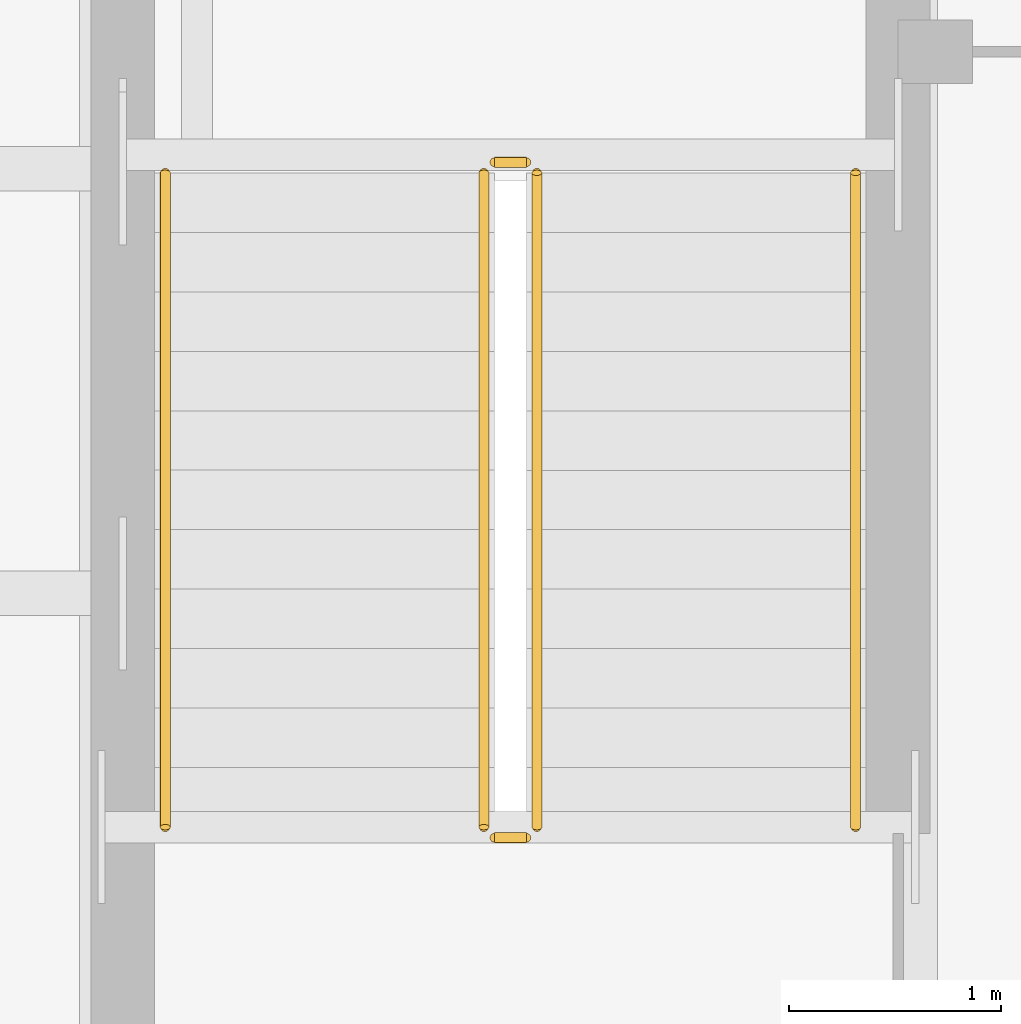
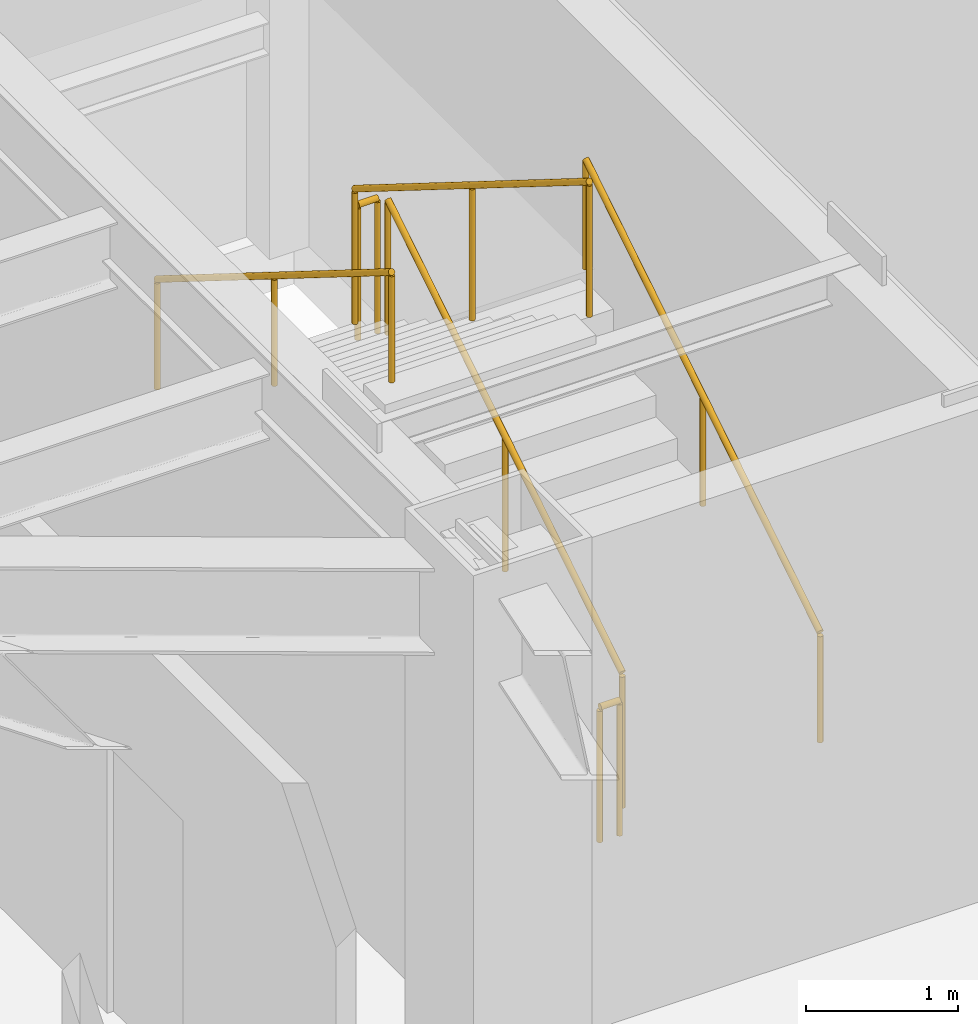
# One storey, part 8 of 11: 6 railings.
"""IFC4 building model written with IfcOpenShell, lengths in metres."""

from ifc_helpers import new_model, si_unit, direction, frame, origin, origin_2d, place, context, subcontext, project, spatial, circle, extrude, material, type_object, element, save


model = new_model("IFC4")

# Units and contexts
model_context = context("Model", 3, precision=1e-05, world=origin(), true_north=direction((0.0, 1.0)))
body_context = subcontext(model_context, "Body", "Model", "MODEL_VIEW")
ifc_project = project(units=[si_unit("LENGTHUNIT", "METRE"), si_unit("AREAUNIT", "SQUARE_METRE"), si_unit("VOLUMEUNIT", "CUBIC_METRE"), si_unit("PLANEANGLEUNIT", "RADIAN"), si_unit("MASSUNIT", "GRAM", prefix="KILO")], contexts=[model_context])

# Site, building, storey
site_placement = place(None, origin())
site = spatial("IfcSite", under=ifc_project, at=site_placement, CompositionType="ELEMENT")
building_placement = place(site_placement, origin())
building = spatial("IfcBuilding", under=site, at=building_placement, Name="Khamvora Tower", CompositionType="ELEMENT")
storey_placement = place(building_placement, frame((0.0, 0.0, 269.449951171875)))
storey = spatial("IfcBuildingStorey", under=building, at=storey_placement, Name="L69", CompositionType="ELEMENT", Elevation=269.449951171875)

# Railings
ifc_material_1 = material(Name="Brushed Stainless Steel 316", Category="steel")
railing_type_1 = type_object("IfcRailingType", Name="RAL-HDR-920", PredefinedType="HANDRAIL", material=ifc_material_1)
railing_1_placement = place(storey_placement, frame((32.449951171875, 20.75, 0.175048828125)))
element("IfcRailing", 1, at=railing_1_placement, inside=storey, type_object=railing_type_1, Name="L69 ST-01 stair handrail 1", PredefinedType="HANDRAIL", context=body_context, shape_type="SweptSolid", body=[
    extrude(circle(Radius=0.02392578125, at=origin_2d()), frame((0.0, 0.0, 0.8759765625), z_axis=(0.0, 0.847998304005, 0.529998940003), x_axis=(-1.0, 0.0, 0.0)), (0.0, 0.0, 1.0), 3.632080078125),
    extrude(circle(Radius=0.02099609375, at=origin_2d()), origin(), (0.0, 0.0, 1.0), 0.851806640625),
    extrude(circle(Radius=0.02099609375, at=origin_2d()), frame((0.0, 1.5400390625, 0.96240234375)), (0.0, 0.0, 1.0), 0.851806640625),
    extrude(circle(Radius=0.02099609375, at=origin_2d()), frame((0.0, 3.080078125, 1.925048828125)), (0.0, 0.0, 1.0), 0.851806640625),
])
railing_2_placement = place(storey_placement, frame((29.199951171875, 23.830078125, 2.275146484375)))
element("IfcRailing", 2, at=railing_2_placement, inside=storey, type_object=railing_type_1, Name="L69 ST-01 stair handrail 2", PredefinedType="HANDRAIL", context=body_context, shape_type="SweptSolid", body=[
    extrude(circle(Radius=0.02392578125, at=origin_2d()), frame((0.0, 0.0, 0.8759765625), z_axis=(0.0, -0.848028513186, 0.529950602248), x_axis=(1.0, 0.0, 0.0)), (0.0, 0.0, 1.0), 3.632080078125),
    extrude(circle(Radius=0.02099609375, at=origin_2d()), origin(), (0.0, 0.0, 1.0), 0.851806640625),
    extrude(circle(Radius=0.02099609375, at=origin_2d()), frame((0.0, -1.5400390625, 0.96240234375)), (0.0, 0.0, 1.0), 0.851806640625),
    extrude(circle(Radius=0.02099609375, at=origin_2d()), frame((0.0, -3.080078125, 1.9248046875)), (0.0, 0.0, 1.0), 0.851806640625),
])
ifc_material_2 = material(Name="Stainless Steel 316", Category="steel")
railing_type_2 = type_object("IfcRailingType", Name="RAL-STG-1100", PredefinedType="GUARDRAIL", material=ifc_material_2)
railing_3_placement = place(storey_placement, frame((30.949951171875, 20.75, 0.175048828125)))
element("IfcRailing", 3, at=railing_3_placement, inside=storey, type_object=railing_type_2, Name="L69 ST-01 stair guard 1", PredefinedType="GUARDRAIL", context=body_context, shape_type="SweptSolid", body=[
    extrude(circle(Radius=0.02392578125, at=origin_2d()), frame((0.0, 0.0, 1.076171875), z_axis=(0.0, 0.847998304005, 0.529998940003), x_axis=(-1.0, 0.0, 0.0)), (0.0, 0.0, 1.0), 3.632080078125),
    extrude(circle(Radius=0.02099609375, at=origin_2d()), origin(), (0.0, 0.0, 1.0), 1.052001953125),
    extrude(circle(Radius=0.02099609375, at=origin_2d()), frame((0.0, 1.5400390625, 0.96240234375)), (0.0, 0.0, 1.0), 1.052001953125),
    extrude(circle(Radius=0.02099609375, at=origin_2d()), frame((0.0, 3.080078125, 1.925048828125)), (0.0, 0.0, 1.0), 1.052001953125),
])
railing_4_placement = place(storey_placement, frame((30.89990234375, 23.8798828125, 2.10009765625)))
element("IfcRailing", 4, at=railing_4_placement, inside=storey, type_object=railing_type_2, Name="L69 ST-01 stair guard 2", PredefinedType="GUARDRAIL", context=body_context, shape_type="SweptSolid", body=[
    extrude(circle(Radius=0.02392578125, at=origin_2d()), frame((0.0, 0.0, 1.076171875), z_axis=(-1.0, 0.0, 0.0), x_axis=(0.0, -1.0, 0.0)), (0.0, 0.0, 1.0), 0.14990234375),
    extrude(circle(Radius=0.02099609375, at=origin_2d()), origin(), (0.0, 0.0, 1.0), 1.052001953125),
    extrude(circle(Radius=0.02099609375, at=origin_2d()), frame((-0.14990234375, 0.0, 0.0)), (0.0, 0.0, 1.0), 1.052001953125),
])
railing_5_placement = place(storey_placement, frame((30.699951171875, 23.830078125, 2.275146484375)))
element("IfcRailing", 5, at=railing_5_placement, inside=storey, type_object=railing_type_2, Name="L69 ST-01 stair guard 3", PredefinedType="GUARDRAIL", context=body_context, shape_type="SweptSolid", body=[
    extrude(circle(Radius=0.02392578125, at=origin_2d()), frame((0.0, 0.0, 1.076171875), z_axis=(0.0, -0.848028513186, 0.529950602248), x_axis=(1.0, 0.0, 0.0)), (0.0, 0.0, 1.0), 3.632080078125),
    extrude(circle(Radius=0.02099609375, at=origin_2d()), origin(), (0.0, 0.0, 1.0), 1.052001953125),
    extrude(circle(Radius=0.02099609375, at=origin_2d()), frame((0.0, -1.5400390625, 0.96240234375)), (0.0, 0.0, 1.0), 1.052001953125),
    extrude(circle(Radius=0.02099609375, at=origin_2d()), frame((0.0, -3.080078125, 1.9248046875)), (0.0, 0.0, 1.0), 1.052001953125),
])
railing_6_placement = place(storey_placement, frame((30.89990234375, 20.699951171875, 0.0)))
element("IfcRailing", 6, at=railing_6_placement, inside=storey, type_object=railing_type_2, Name="L69 ST-01 stair guard 4", PredefinedType="GUARDRAIL", context=body_context, shape_type="SweptSolid", body=[
    extrude(circle(Radius=0.02392578125, at=origin_2d()), frame((0.0, 0.0, 1.076171875), z_axis=(-1.0, 0.0, 0.0), x_axis=(0.0, -1.0, 0.0)), (0.0, 0.0, 1.0), 0.14990234375),
    extrude(circle(Radius=0.02099609375, at=origin_2d()), origin(), (0.0, 0.0, 1.0), 1.052001953125),
    extrude(circle(Radius=0.02099609375, at=origin_2d()), frame((-0.14990234375, 0.0, 0.0)), (0.0, 0.0, 1.0), 1.052001953125),
])

save(model, "model.ifc")
